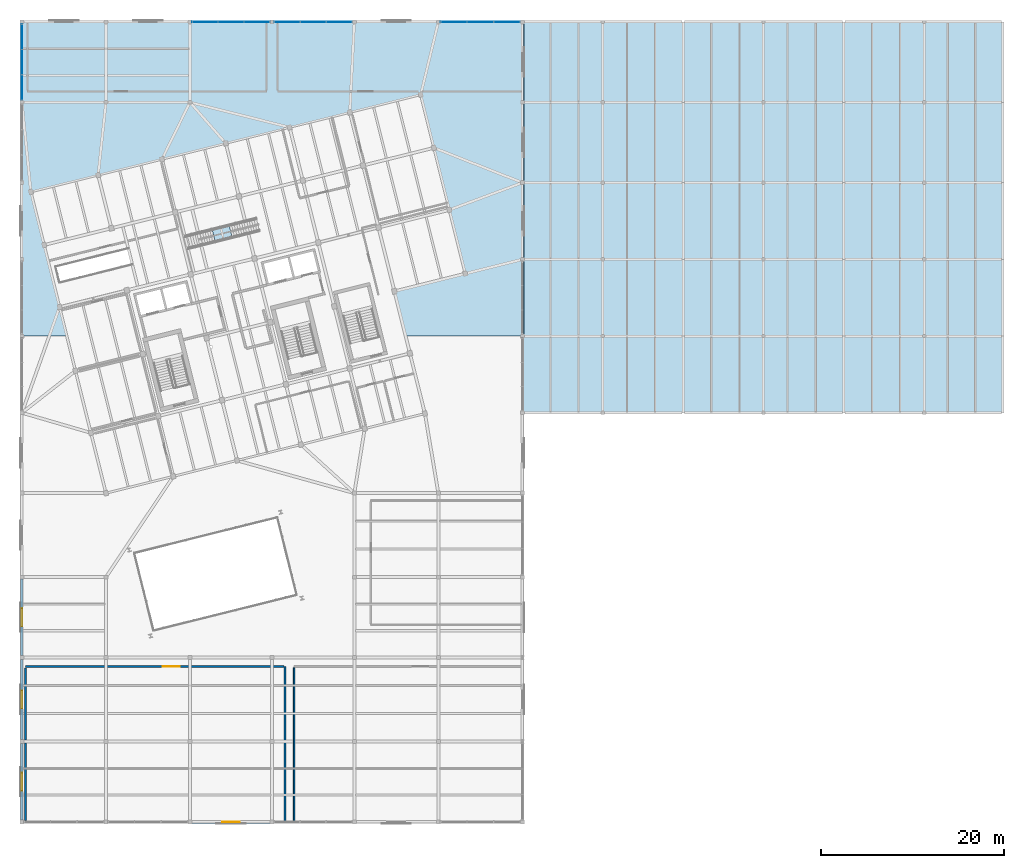
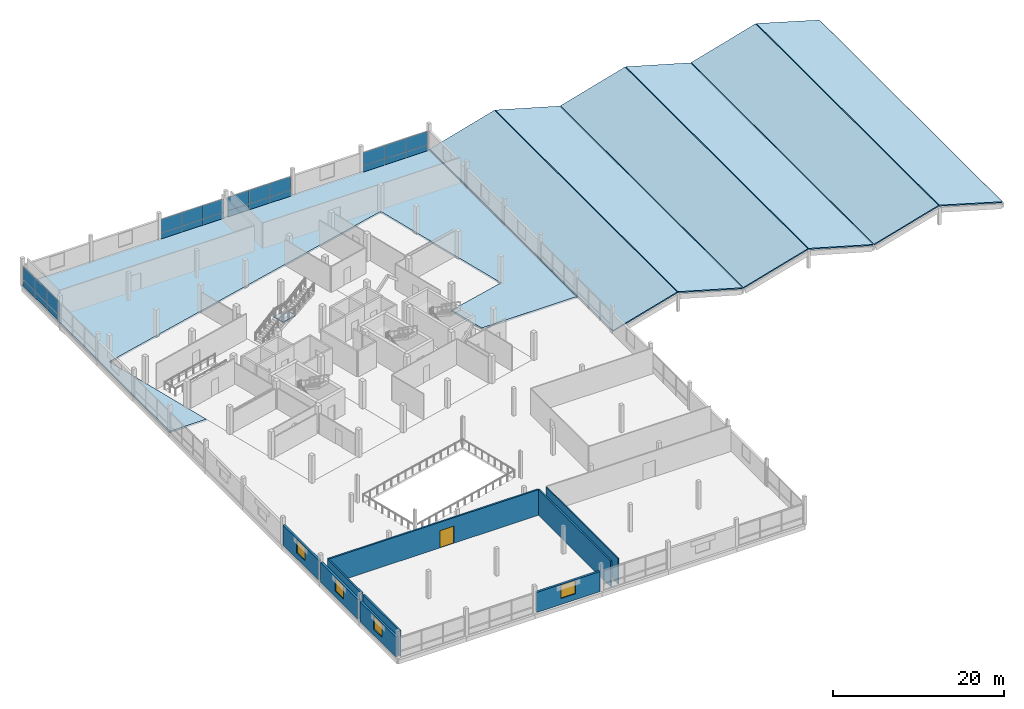
# One storey, part 40 of 47: 24 plates, 9 slabs, 9 walls, 4 windows, 1 door, 5 openings, 11 elements without a shape of their own.
"""IFC4 building model written with IfcOpenShell, lengths in metres."""

import ifcopenshell
import ifcopenshell.guid

model = None  # the IFC model being written
_history = None  # IfcOwnerHistory: only IFC2X3 demands one
_inside = {}  # id of a spatial element -> (the spatial element, [elements in it])
_under = {}  # id of a project, library or spatial element -> (it, [spatial elements below it])
_declared = {}  # id of a project -> (the project, [libraries it declares])
_typed = {}  # id of a type object -> (the type object, [elements of that type])
_made_of = {}  # id of a material, layer set ... -> (it, [elements and type objects made of it])


def new_model(schema):
    """Start an empty IFC model of exactly this schema.

    Asked for "IFC4X3", IfcOpenShell would pick the latest addendum, in which some entities
    have other attributes; the version numbers below select the first issue.
    IFC2X3 requires an IfcOwnerHistory on every rooted entity: one is made here for all.
    """
    global model, _history
    if schema == "IFC4X3":
        model = ifcopenshell.file(schema_version=(4, 3, 0, 0))
    else:
        model = ifcopenshell.file(schema=schema)
    _inside.clear()
    _under.clear()
    _declared.clear()
    _typed.clear()
    _made_of.clear()
    _history = None
    if model.schema == "IFC2X3":
        org = make("IfcOrganization", Name="unknown")
        user = make(
            "IfcPersonAndOrganization",
            ThePerson=make("IfcPerson", FamilyName="unknown"),
            TheOrganization=org,
        )
        app = make(
            "IfcApplication",
            ApplicationDeveloper=org,
            Version="unknown",
            ApplicationFullName="unknown",
            ApplicationIdentifier="unknown",
        )
        _history = make(
            "IfcOwnerHistory",
            OwningUser=user,
            OwningApplication=app,
            ChangeAction="ADDED",
            CreationDate=0,
        )
    return model


def make(cls, **values):
    """One entity of the class cls with the attributes given. An attribute that is None is left unset."""
    return model.create_entity(
        cls, **{name: value for name, value in values.items() if value is not None}
    )


def rooted(cls, **values):
    """An entity with a GlobalId (a new one), such as an element, a storey or a relation."""
    return make(cls, GlobalId=ifcopenshell.guid.new(), OwnerHistory=_history, **values)


def si_unit(unit_type, name, prefix=None):
    """IfcSIUnit, for example si_unit("LENGTHUNIT", "METRE", prefix="MILLI")."""
    return make("IfcSIUnit", UnitType=unit_type, Prefix=prefix, Name=name)


def assignment(units):
    """IfcUnitAssignment: the units of a project."""
    return None if units is None else make("IfcUnitAssignment", Units=units)


def point(xyz):
    """IfcCartesianPoint."""
    return None if xyz is None else make("IfcCartesianPoint", Coordinates=xyz)


def direction(xyz):
    """IfcDirection."""
    return None if xyz is None else make("IfcDirection", DirectionRatios=xyz)


def frame(location, z_axis=None, x_axis=None):
    """IfcAxis2Placement3D, a coordinate frame: its origin and axes. An axis left out is left unset."""
    return make(
        "IfcAxis2Placement3D",
        Location=point(location),
        Axis=direction(z_axis),
        RefDirection=direction(x_axis),
    )


def frame_2d(location, x_axis=None):
    """IfcAxis2Placement2D, a coordinate frame in the plane: its origin and x axis."""
    return make(
        "IfcAxis2Placement2D", Location=point(location), RefDirection=direction(x_axis)
    )


def origin():
    """The frame at (0, 0, 0) with its axes left unset."""
    return frame((0.0, 0.0, 0.0))


def origin_2d():
    """The frame at (0, 0) in the plane with its x axis left unset."""
    return frame_2d((0.0, 0.0))


def place(relative_to, where):
    """IfcLocalPlacement: puts the frame where relative to a parent placement (None: the world)."""
    return make(
        "IfcLocalPlacement", PlacementRelTo=relative_to, RelativePlacement=where
    )


def context(
    kind, dimensions, precision=None, world=None, true_north=None, identifier=None
):
    """IfcGeometricRepresentationContext, for example the 3D "Model" context."""
    return make(
        "IfcGeometricRepresentationContext",
        ContextIdentifier=identifier,
        ContextType=kind,
        CoordinateSpaceDimension=dimensions,
        Precision=precision,
        WorldCoordinateSystem=world,
        TrueNorth=true_north,
    )


def subcontext(parent, identifier, kind, view, scale=None):
    """IfcGeometricRepresentationSubContext, for example "Body" below "Model"."""
    return make(
        "IfcGeometricRepresentationSubContext",
        ContextIdentifier=identifier,
        ContextType=kind,
        ParentContext=parent,
        TargetScale=scale,
        TargetView=view,
    )


def project(units=None, contexts=None):
    """IfcProject with its units and contexts."""
    return rooted(
        "IfcProject",
        Name="project",
        RepresentationContexts=contexts,
        UnitsInContext=assignment(units),
    )


def spatial(cls, under=None, at=None, **own):
    """A site, building, storey or space (cls), placed at a placement, below another one or the project."""
    s = rooted(cls, ObjectPlacement=at, **own)
    if under is not None:
        _under.setdefault(under.id(), (under, []))[1].append(s)
    return s


def polyline(points):
    """IfcPolyline through the points."""
    return make("IfcPolyline", Points=[point(p) for p in points])


def profile(cls, at=None, kind="AREA", **sizes):
    """A parametric profile (cls). Its sizes go by their IFC names, for example OverallWidth=200.0."""
    return make(cls, ProfileType=kind, Position=at, **sizes)


def rectangle(**sizes):
    """IfcRectangleProfileDef."""
    return profile("IfcRectangleProfileDef", **sizes)


def outline(outer, holes=None, kind="AREA"):
    """IfcArbitraryClosedProfileDef: a profile drawn as a closed curve; with holes, ...WithVoids."""
    if holes is None:
        return make("IfcArbitraryClosedProfileDef", ProfileType=kind, OuterCurve=outer)
    return make(
        "IfcArbitraryProfileDefWithVoids",
        ProfileType=kind,
        OuterCurve=outer,
        InnerCurves=holes,
    )


def extrude(swept, where, along, depth):
    """IfcExtrudedAreaSolid: the profile swept, set in the frame where, extruded along a direction by depth."""
    return make(
        "IfcExtrudedAreaSolid",
        SweptArea=swept,
        Position=where,
        ExtrudedDirection=direction(along),
        Depth=depth,
    )


def shape(context_of_items, identifier, shape_type, items):
    """IfcShapeRepresentation: the items that make up one representation, for example the "Body"."""
    return make(
        "IfcShapeRepresentation",
        ContextOfItems=context_of_items,
        RepresentationIdentifier=identifier,
        RepresentationType=shape_type,
        Items=items,
    )


def material(Name=None, Category=None):
    """IfcMaterial."""
    return make("IfcMaterial", Name=Name, Category=Category)


def layer(
    of_material, thickness, ventilated=None, Name=None, Category=None, Priority=None
):
    """IfcMaterialLayer: one layer of a wall or slab, of a material (None: an air gap)."""
    return make(
        "IfcMaterialLayer",
        Material=of_material,
        LayerThickness=thickness,
        IsVentilated=ventilated,
        Name=Name,
        Category=Category,
        Priority=Priority,
    )


def layer_set(layers, Name=None):
    """IfcMaterialLayerSet."""
    return make("IfcMaterialLayerSet", MaterialLayers=layers, LayerSetName=Name)


def made_of(thing, what):
    """Note that an element or type object is made of a material, layer set ...; save() writes the relation."""
    if what is not None:
        _made_of.setdefault(what.id(), (what, []))[1].append(thing)
    return thing


def type_object(cls, material=None, **own):
    """A type object (cls), such as IfcWallType, which elements share."""
    return made_of(rooted(cls, **own), material)


def element(
    cls,
    number,
    at=None,
    inside=None,
    cuts=None,
    type_object=None,
    material=None,
    context=None,
    identifier="Body",
    shape_type=None,
    held_by="IfcProductDefinitionShape",
    body=None,
    shapes=None,
    **own,
):
    """One element of the class cls, such as IfcWall. Its Tag is "e" and its number.

    at: its placement. inside: the storey or other place that contains it. cuts: it is an
    opening in that element (IfcRelVoidsElement). A single representation is given by context,
    identifier, shape_type and body (its items); several are given by shapes. held_by: the class
    of the entity that holds the representations. save() writes the other relations.
    """
    e = rooted(cls, Tag="e%d" % number, ObjectPlacement=at, **own)
    if body is not None:
        shapes = [shape(context, identifier, shape_type, body)]
    if shapes is not None:
        e.Representation = make(held_by, Representations=shapes)
    if inside is not None:
        _inside.setdefault(inside.id(), (inside, []))[1].append(e)
    if cuts is not None:
        rooted(
            "IfcRelVoidsElement", RelatingBuildingElement=cuts, RelatedOpeningElement=e
        )
    if type_object is not None:
        _typed.setdefault(type_object.id(), (type_object, []))[1].append(e)
    return made_of(e, material)


def fill(opening, filler):
    """IfcRelFillsElement: the door or window that sits in an opening."""
    return rooted(
        "IfcRelFillsElement",
        RelatingOpeningElement=opening,
        RelatedBuildingElement=filler,
    )


def aggregate(whole, parts):
    """IfcRelAggregates: a whole, such as a stair, and the parts it consists of."""
    return rooted("IfcRelAggregates", RelatingObject=whole, RelatedObjects=parts)


def save(model, path):
    """Write the relations noted so far, then the file.

    IfcRelAggregates (storeys below a building ...), IfcRelContainedInSpatialStructure (elements
    in a storey), IfcRelDefinesByType, IfcRelAssociatesMaterial and IfcRelDeclares: one each for
    every whole, place, type object, material and project.
    """
    for whole, parts in _under.values():
        aggregate(whole, parts)
    for where, things in _inside.values():
        rooted(
            "IfcRelContainedInSpatialStructure",
            RelatedElements=things,
            RelatingStructure=where,
        )
    for kind, things in _typed.values():
        rooted("IfcRelDefinesByType", RelatedObjects=things, RelatingType=kind)
    for what, things in _made_of.values():
        rooted("IfcRelAssociatesMaterial", RelatedObjects=things, RelatingMaterial=what)
    for by, libraries in _declared.values():
        rooted("IfcRelDeclares", RelatingContext=by, RelatedDefinitions=libraries)
    model.write(path)


model = new_model("IFC4")

# Units and contexts
model_context = context("Model", 3, precision=1e-05, world=origin(), true_north=direction((0.0, 1.0)))
body_context = subcontext(model_context, "Body", "Model", "MODEL_VIEW")
ifc_project = project(units=[si_unit("LENGTHUNIT", "METRE"), si_unit("AREAUNIT", "SQUARE_METRE"), si_unit("VOLUMEUNIT", "CUBIC_METRE"), si_unit("PLANEANGLEUNIT", "RADIAN"), si_unit("MASSUNIT", "GRAM", prefix="KILO")], contexts=[model_context])

# Site, building, storey
site_placement = place(None, origin())
site = spatial("IfcSite", under=ifc_project, at=site_placement, CompositionType="ELEMENT")
building_placement = place(site_placement, origin())
building = spatial("IfcBuilding", under=site, at=building_placement, Name="Meriwether Solvik Hall", CompositionType="ELEMENT")
storey_placement = place(building_placement, frame((0.0, 0.0, 18.300048828125)))
storey = spatial("IfcBuildingStorey", under=building, at=storey_placement, Name="L04", CompositionType="ELEMENT", Elevation=18.300048828125)

# Curtain wall, plates
ifc_material_1 = material(Name="Thermally Broken Anodised Aluminium 6063-T6 and Low-E Glass", Category="aluminium")
ifc_layer_1 = layer(ifc_material_1, 0.179931640625)
ifc_layer_set_1 = layer_set([ifc_layer_1], Name="Thermally Broken Anodised Aluminium 6063-T6 and Low-E Glass")
curtain_wall_type = type_object("IfcCurtainWallType", Name="CW-UNIT-E", PredefinedType="USERDEFINED", material=ifc_layer_set_1)
curtain_wall_1_placement = place(storey_placement, origin())
curtain_wall_1 = element("IfcCurtainWall", 1, at=curtain_wall_1_placement, inside=storey, type_object=curtain_wall_type, Name="Curtain Wall wing_XK_9_8 (L04)", ObjectType="UNITISED CURTAIN WALL", PredefinedType="USERDEFINED")
ifc_material_2 = material(Name="Low-Emissivity Double-Glazed Laminated Glass", Category="glass")
ifc_layer_2 = layer(ifc_material_2, 0.031982421875)
ifc_layer_set_2 = layer_set([ifc_layer_2], Name="Low-Emissivity Double-Glazed Laminated Glass")
plate_type_1 = type_object("IfcPlateType", Name="PLT-GLZ-225X195", PredefinedType="CURTAIN_PANEL", material=ifc_layer_set_2)
plate_1_placement = place(storey_placement, frame((79.467041015625, 92.800048828125, 0.8564453125), z_axis=(0.0, 0.0, 1.0), x_axis=(1.0, 0.0, 0.0)))
plate_1 = element("IfcPlate", 2, at=plate_1_placement, type_object=plate_type_1, Name="Low-E Vision Glazing Panel 1", PredefinedType="CURTAIN_PANEL", context=body_context, shape_type="SweptSolid", body=[
    extrude(rectangle(XDim=2.805908203125, YDim=0.033935546875, at=origin_2d()), origin(), (0.0, 0.0, 1.0), 1.9384765625),
])
plate_2_placement = place(storey_placement, frame((82.300048828125, 92.800048828125, 0.8564453125), z_axis=(0.0, 0.0, 1.0), x_axis=(1.0, 0.0, 0.0)))
plate_2 = element("IfcPlate", 3, at=plate_2_placement, type_object=plate_type_1, Name="Low-E Vision Glazing Panel 2", PredefinedType="CURTAIN_PANEL", context=body_context, shape_type="SweptSolid", body=[
    extrude(rectangle(XDim=2.843994140625, YDim=0.033935546875, at=origin_2d()), origin(), (0.0, 0.0, 1.0), 1.9384765625),
])
plate_3_placement = place(storey_placement, frame((85.133056640625, 92.800048828125, 0.8564453125), z_axis=(0.0, 0.0, 1.0), x_axis=(1.0, 0.0, 0.0)))
plate_3 = element("IfcPlate", 4, at=plate_3_placement, type_object=plate_type_1, Name="Low-E Vision Glazing Panel 3", PredefinedType="CURTAIN_PANEL", context=body_context, shape_type="SweptSolid", body=[
    extrude(rectangle(XDim=2.805908203125, YDim=0.033935546875, at=origin_2d()), origin(), (0.0, 0.0, 1.0), 1.9384765625),
])

curtain_wall_2_placement = place(storey_placement, origin())
curtain_wall_2 = element("IfcCurtainWall", 5, at=curtain_wall_2_placement, inside=storey, type_object=curtain_wall_type, Name="Curtain Wall wing_XK_10_9 (L04)", ObjectType="UNITISED CURTAIN WALL", PredefinedType="USERDEFINED")
plate_4_placement = place(storey_placement, frame((88.467041015625, 92.800048828125, 0.8564453125), z_axis=(0.0, 0.0, 1.0), x_axis=(1.0, 0.0, 0.0)))
plate_4 = element("IfcPlate", 6, at=plate_4_placement, type_object=plate_type_1, Name="Low-E Vision Glazing Panel 1", PredefinedType="CURTAIN_PANEL", context=body_context, shape_type="SweptSolid", body=[
    extrude(rectangle(XDim=2.805908203125, YDim=0.033935546875, at=origin_2d()), origin(), (0.0, 0.0, 1.0), 1.9384765625),
])
plate_5_placement = place(storey_placement, frame((91.300048828125, 92.800048828125, 0.8564453125), z_axis=(0.0, 0.0, 1.0), x_axis=(1.0, 0.0, 0.0)))
plate_5 = element("IfcPlate", 7, at=plate_5_placement, type_object=plate_type_1, Name="Low-E Vision Glazing Panel 2", PredefinedType="CURTAIN_PANEL", context=body_context, shape_type="SweptSolid", body=[
    extrude(rectangle(XDim=2.843994140625, YDim=0.033935546875, at=origin_2d()), origin(), (0.0, 0.0, 1.0), 1.9384765625),
])
plate_6_placement = place(storey_placement, frame((94.133056640625, 92.800048828125, 0.8564453125), z_axis=(0.0, 0.0, 1.0), x_axis=(1.0, 0.0, 0.0)))
plate_6 = element("IfcPlate", 8, at=plate_6_placement, type_object=plate_type_1, Name="Low-E Vision Glazing Panel 3", PredefinedType="CURTAIN_PANEL", context=body_context, shape_type="SweptSolid", body=[
    extrude(rectangle(XDim=2.805908203125, YDim=0.033935546875, at=origin_2d()), origin(), (0.0, 0.0, 1.0), 1.9384765625),
])

curtain_wall_3_placement = place(storey_placement, origin())
curtain_wall_3 = element("IfcCurtainWall", 9, at=curtain_wall_3_placement, inside=storey, type_object=curtain_wall_type, Name="Curtain Wall wing_XK_12_11 (L04)", ObjectType="UNITISED CURTAIN WALL", PredefinedType="USERDEFINED")
plate_7_placement = place(storey_placement, frame((106.700439453125, 92.800048828125, 0.8564453125), z_axis=(0.0, 0.0, 1.0), x_axis=(1.0, 0.0, 0.0)))
plate_7 = element("IfcPlate", 10, at=plate_7_placement, type_object=plate_type_1, Name="Low-E Vision Glazing Panel 1", PredefinedType="CURTAIN_PANEL", context=body_context, shape_type="SweptSolid", body=[
    extrude(rectangle(XDim=2.872802734375, YDim=0.033935546875, at=origin_2d()), origin(), (0.0, 0.0, 1.0), 1.9384765625),
])
plate_8_placement = place(storey_placement, frame((109.60009765625, 92.800048828125, 0.8564453125), z_axis=(0.0, 0.0, 1.0), x_axis=(1.0, 0.0, 0.0)))
plate_8 = element("IfcPlate", 11, at=plate_8_placement, type_object=plate_type_1, Name="Low-E Vision Glazing Panel 2", PredefinedType="CURTAIN_PANEL", context=body_context, shape_type="SweptSolid", body=[
    extrude(rectangle(XDim=2.91064453125, YDim=0.033935546875, at=origin_2d()), origin(), (0.0, 0.0, 1.0), 1.9384765625),
])
plate_9_placement = place(storey_placement, frame((112.499755859375, 92.800048828125, 0.8564453125), z_axis=(0.0, 0.0, 1.0), x_axis=(1.0, 0.0, 0.0)))
plate_9 = element("IfcPlate", 12, at=plate_9_placement, type_object=plate_type_1, Name="Low-E Vision Glazing Panel 3", PredefinedType="CURTAIN_PANEL", context=body_context, shape_type="SweptSolid", body=[
    extrude(rectangle(XDim=2.872802734375, YDim=0.033935546875, at=origin_2d()), origin(), (0.0, 0.0, 1.0), 1.9384765625),
])

curtain_wall_4_placement = place(storey_placement, origin())
curtain_wall_4 = element("IfcCurtainWall", 13, at=curtain_wall_4_placement, inside=storey, type_object=curtain_wall_type, Name="Curtain Wall wing_Y7_10_21 (L04)", ObjectType="UNITISED CURTAIN WALL", PredefinedType="USERDEFINED")
plate_10_placement = place(storey_placement, frame((59.39990234375, 85.6337890625, 0.8564453125), z_axis=(0.0, 0.0, 1.0), x_axis=(0.0, 1.0, 0.0)))
plate_10 = element("IfcPlate", 14, at=plate_10_placement, type_object=plate_type_1, Name="Low-E Vision Glazing Panel 1", PredefinedType="CURTAIN_PANEL", context=body_context, shape_type="SweptSolid", body=[
    extrude(rectangle(XDim=2.7392578125, YDim=0.033935546875, at=origin_2d()), origin(), (0.0, 0.0, 1.0), 1.9384765625),
])
plate_11_placement = place(storey_placement, frame((59.39990234375, 88.39990234375, 0.8564453125), z_axis=(0.0, 0.0, 1.0), x_axis=(0.0, 1.0, 0.0)))
plate_11 = element("IfcPlate", 15, at=plate_11_placement, type_object=plate_type_1, Name="Low-E Vision Glazing Panel 2", PredefinedType="CURTAIN_PANEL", context=body_context, shape_type="SweptSolid", body=[
    extrude(rectangle(XDim=2.77734375, YDim=0.033935546875, at=origin_2d()), origin(), (0.0, 0.0, 1.0), 1.9384765625),
])
plate_12_placement = place(storey_placement, frame((59.39990234375, 91.166259765625, 0.8564453125), z_axis=(0.0, 0.0, 1.0), x_axis=(0.0, 1.0, 0.0)))
plate_12 = element("IfcPlate", 16, at=plate_12_placement, type_object=plate_type_1, Name="Low-E Vision Glazing Panel 3", PredefinedType="CURTAIN_PANEL", context=body_context, shape_type="SweptSolid", body=[
    extrude(rectangle(XDim=2.7392578125, YDim=0.033935546875, at=origin_2d()), origin(), (0.0, 0.0, 1.0), 1.9384765625),
])

# Plate
ifc_material_3 = material(Name="Mineral-Wool Insulated Anodised Aluminium 6063-T6", Category="aluminium")
ifc_layer_3 = layer(ifc_material_3, 0.044921875)
ifc_layer_set_3 = layer_set([ifc_layer_3], Name="Mineral-Wool Insulated Anodised Aluminium 6063-T6")
plate_type_2 = type_object("IfcPlateType", Name="PLT-SPN-225X085", PredefinedType="CURTAIN_PANEL", material=ifc_layer_set_3)
plate_13_placement = place(storey_placement, frame((79.467041015625, 92.800048828125, 0.0), z_axis=(0.0, 0.0, 1.0), x_axis=(1.0, 0.0, 0.0)))
plate_13 = element("IfcPlate", 17, at=plate_13_placement, type_object=plate_type_2, Name="Insulated Spandrel Panel 1", PredefinedType="CURTAIN_PANEL", context=body_context, shape_type="SweptSolid", body=[
    extrude(rectangle(XDim=2.805908203125, YDim=0.044921875, at=origin_2d()), origin(), (0.0, 0.0, 1.0), 0.8564453125),
])

plate_14_placement = place(storey_placement, frame((82.300048828125, 92.800048828125, 0.0), z_axis=(0.0, 0.0, 1.0), x_axis=(1.0, 0.0, 0.0)))
plate_14 = element("IfcPlate", 18, at=plate_14_placement, type_object=plate_type_2, Name="Insulated Spandrel Panel 2", PredefinedType="CURTAIN_PANEL", context=body_context, shape_type="SweptSolid", body=[
    extrude(rectangle(XDim=2.843994140625, YDim=0.044921875, at=origin_2d()), origin(), (0.0, 0.0, 1.0), 0.8564453125),
])

plate_15_placement = place(storey_placement, frame((85.133056640625, 92.800048828125, 0.0), z_axis=(0.0, 0.0, 1.0), x_axis=(1.0, 0.0, 0.0)))
plate_15 = element("IfcPlate", 19, at=plate_15_placement, type_object=plate_type_2, Name="Insulated Spandrel Panel 3", PredefinedType="CURTAIN_PANEL", context=body_context, shape_type="SweptSolid", body=[
    extrude(rectangle(XDim=2.805908203125, YDim=0.044921875, at=origin_2d()), origin(), (0.0, 0.0, 1.0), 0.8564453125),
])

aggregate(curtain_wall_1, [plate_13, plate_1, plate_14, plate_2, plate_15, plate_3])

plate_16_placement = place(storey_placement, frame((88.467041015625, 92.800048828125, 0.0), z_axis=(0.0, 0.0, 1.0), x_axis=(1.0, 0.0, 0.0)))
plate_16 = element("IfcPlate", 20, at=plate_16_placement, type_object=plate_type_2, Name="Insulated Spandrel Panel 1", PredefinedType="CURTAIN_PANEL", context=body_context, shape_type="SweptSolid", body=[
    extrude(rectangle(XDim=2.805908203125, YDim=0.044921875, at=origin_2d()), origin(), (0.0, 0.0, 1.0), 0.8564453125),
])

plate_17_placement = place(storey_placement, frame((91.300048828125, 92.800048828125, 0.0), z_axis=(0.0, 0.0, 1.0), x_axis=(1.0, 0.0, 0.0)))
plate_17 = element("IfcPlate", 21, at=plate_17_placement, type_object=plate_type_2, Name="Insulated Spandrel Panel 2", PredefinedType="CURTAIN_PANEL", context=body_context, shape_type="SweptSolid", body=[
    extrude(rectangle(XDim=2.843994140625, YDim=0.044921875, at=origin_2d()), origin(), (0.0, 0.0, 1.0), 0.8564453125),
])

plate_18_placement = place(storey_placement, frame((94.133056640625, 92.800048828125, 0.0), z_axis=(0.0, 0.0, 1.0), x_axis=(1.0, 0.0, 0.0)))
plate_18 = element("IfcPlate", 22, at=plate_18_placement, type_object=plate_type_2, Name="Insulated Spandrel Panel 3", PredefinedType="CURTAIN_PANEL", context=body_context, shape_type="SweptSolid", body=[
    extrude(rectangle(XDim=2.805908203125, YDim=0.044921875, at=origin_2d()), origin(), (0.0, 0.0, 1.0), 0.8564453125),
])

aggregate(curtain_wall_2, [plate_16, plate_4, plate_17, plate_5, plate_18, plate_6])

plate_19_placement = place(storey_placement, frame((106.700439453125, 92.800048828125, 0.0), z_axis=(0.0, 0.0, 1.0), x_axis=(1.0, 0.0, 0.0)))
plate_19 = element("IfcPlate", 23, at=plate_19_placement, type_object=plate_type_2, Name="Insulated Spandrel Panel 1", PredefinedType="CURTAIN_PANEL", context=body_context, shape_type="SweptSolid", body=[
    extrude(rectangle(XDim=2.872802734375, YDim=0.044921875, at=origin_2d()), origin(), (0.0, 0.0, 1.0), 0.8564453125),
])

plate_20_placement = place(storey_placement, frame((109.60009765625, 92.800048828125, 0.0), z_axis=(0.0, 0.0, 1.0), x_axis=(1.0, 0.0, 0.0)))
plate_20 = element("IfcPlate", 24, at=plate_20_placement, type_object=plate_type_2, Name="Insulated Spandrel Panel 2", PredefinedType="CURTAIN_PANEL", context=body_context, shape_type="SweptSolid", body=[
    extrude(rectangle(XDim=2.91064453125, YDim=0.044921875, at=origin_2d()), origin(), (0.0, 0.0, 1.0), 0.8564453125),
])

plate_21_placement = place(storey_placement, frame((112.499755859375, 92.800048828125, 0.0), z_axis=(0.0, 0.0, 1.0), x_axis=(1.0, 0.0, 0.0)))
plate_21 = element("IfcPlate", 25, at=plate_21_placement, type_object=plate_type_2, Name="Insulated Spandrel Panel 3", PredefinedType="CURTAIN_PANEL", context=body_context, shape_type="SweptSolid", body=[
    extrude(rectangle(XDim=2.872802734375, YDim=0.044921875, at=origin_2d()), origin(), (0.0, 0.0, 1.0), 0.8564453125),
])

aggregate(curtain_wall_3, [plate_19, plate_7, plate_20, plate_8, plate_21, plate_9])

plate_22_placement = place(storey_placement, frame((59.39990234375, 85.6337890625, 0.0), z_axis=(0.0, 0.0, 1.0), x_axis=(0.0, 1.0, 0.0)))
plate_22 = element("IfcPlate", 26, at=plate_22_placement, type_object=plate_type_2, Name="Insulated Spandrel Panel 1", PredefinedType="CURTAIN_PANEL", context=body_context, shape_type="SweptSolid", body=[
    extrude(rectangle(XDim=2.7392578125, YDim=0.044921875, at=origin_2d()), origin(), (0.0, 0.0, 1.0), 0.8564453125),
])

plate_23_placement = place(storey_placement, frame((59.39990234375, 88.39990234375, 0.0), z_axis=(0.0, 0.0, 1.0), x_axis=(0.0, 1.0, 0.0)))
plate_23 = element("IfcPlate", 27, at=plate_23_placement, type_object=plate_type_2, Name="Insulated Spandrel Panel 2", PredefinedType="CURTAIN_PANEL", context=body_context, shape_type="SweptSolid", body=[
    extrude(rectangle(XDim=2.77734375, YDim=0.044921875, at=origin_2d()), origin(), (0.0, 0.0, 1.0), 0.8564453125),
])

plate_24_placement = place(storey_placement, frame((59.39990234375, 91.166259765625, 0.0), z_axis=(0.0, 0.0, 1.0), x_axis=(0.0, 1.0, 0.0)))
plate_24 = element("IfcPlate", 28, at=plate_24_placement, type_object=plate_type_2, Name="Insulated Spandrel Panel 3", PredefinedType="CURTAIN_PANEL", context=body_context, shape_type="SweptSolid", body=[
    extrude(rectangle(XDim=2.7392578125, YDim=0.044921875, at=origin_2d()), origin(), (0.0, 0.0, 1.0), 0.8564453125),
])

aggregate(curtain_wall_4, [plate_22, plate_10, plate_23, plate_11, plate_24, plate_12])

# Slabs
ifc_material_4 = material(Name="Cross-Laminated Timber PRG 320 E1", Category="wood")
ifc_layer_4 = layer(ifc_material_4, 0.2451171875)
ifc_layer_set_4 = layer_set([ifc_layer_4], Name="Cross-Laminated Timber PRG 320 E1")
slab_type_1 = type_object("IfcSlabType", Name="SLB-CLT-245", PredefinedType="FLOOR", material=ifc_layer_set_4)
slab_1_placement = place(storey_placement, frame((0.0, 0.0, -0.2451171875)))
element("IfcSlab", 29, at=slab_1_placement, inside=storey, type_object=slab_type_1, Name="L04 Structural Slab Zone 4", PredefinedType="FLOOR", context=body_context, shape_type="SweptSolid", body=[
    extrude(outline(polyline([(101.413818359375, 58.403076171875), (100.193359375, 63.298583984375), (107.955810546875, 65.23388671875), (103.068359375, 84.8359375), (60.37353515625, 74.190673828125), (64.309814453125, 58.403076171875), (59.403076171875, 58.403076171875), (59.403076171875, 92.9599609375), (114.197021484375, 92.9599609375), (114.197021484375, 58.403076171875), (101.413818359375, 58.403076171875)])), origin(), (0.0, 0.0, 1.0), 0.2451171875),
])
slab_2_placement = place(storey_placement, frame((0.0, 0.0, -0.2451171875)))
element("IfcSlab", 30, at=slab_2_placement, inside=storey, type_object=slab_type_1, Name="L04 Structural Slab Zone 6", PredefinedType="FLOOR", context=body_context, shape_type="SweptSolid", body=[
    extrude(outline(polyline([(114.202880859375, 92.9599609375), (114.360107421875, 92.9599609375), (114.360107421875, 58.403076171875), (114.202880859375, 58.403076171875), (114.202880859375, 92.9599609375)])), origin(), (0.0, 0.0, 1.0), 0.2451171875),
])

# Stair, slab
ifc_material_5 = material(Name="Glulam Douglas-Fir 24F-V8 GL28h", Category="wood")
stair_type = type_object("IfcStairType", Name="STR-OPEN-EDU", PredefinedType="TWO_STRAIGHT_RUN_STAIR", material=ifc_material_5)
stair_placement = place(storey_placement, origin())
stair = element("IfcStair", 31, at=stair_placement, inside=storey, type_object=stair_type, Name="Architectural Stair ST-ED2 (L04-L05)", PredefinedType="TWO_STRAIGHT_RUN_STAIR")
ifc_material_6 = material(Name="Cross-Laminated Timber PRG 320 E1", Category="wood")
ifc_layer_5 = layer(ifc_material_6, 0.175048828125)
ifc_layer_set_5 = layer_set([ifc_layer_5], Name="Cross-Laminated Timber PRG 320 E1")
slab_type_2 = type_object("IfcSlabType", Name="SLB-LND-175", PredefinedType="LANDING", material=ifc_layer_set_5)
slab_3_placement = place(storey_placement, frame((0.0, 0.0, 1.77490234375)))
slab_3 = element("IfcSlab", 32, at=slab_3_placement, type_object=slab_type_2, Name="Stair ST-ED2 Intermediate Landing", PredefinedType="LANDING", context=body_context, shape_type="SweptSolid", body=[
    extrude(outline(polyline([(80.579833984375, 68.63818359375), (82.45849609375, 69.106689453125), (82.08349609375, 70.610595703125), (80.205078125, 70.14208984375), (80.579833984375, 68.63818359375)])), origin(), (0.0, 0.0, 1.0), 0.175048828125),
])
aggregate(stair, [slab_3])

# Roof, slab
ifc_material_7 = material(Name="Cross-Laminated Timber PRG 320 E1", Category="wood")
ifc_layer_6 = layer(ifc_material_7, 0.2451171875)
ifc_layer_set_6 = layer_set([ifc_layer_6], Name="Cross-Laminated Timber PRG 320 E1")
roof_type = type_object("IfcRoofType", Name="ROOF-GABLE-CLT", PredefinedType="GABLE_ROOF", material=ifc_layer_set_6)
roof_1_placement = place(storey_placement, origin())
roof_1 = element("IfcRoof", 33, at=roof_1_placement, inside=storey, type_object=roof_type, Name="Pitched Mass-Timber Roof w3_fold_1w (L04)", PredefinedType="GABLE_ROOF")
ifc_material_8 = material(Name="Cross-Laminated Timber PRG 320 E1", Category="wood")
ifc_layer_7 = layer(ifc_material_8, 0.159912109375)
ifc_layer_set_7 = layer_set([ifc_layer_7], Name="Cross-Laminated Timber PRG 320 E1")
slab_type_3 = type_object("IfcSlabType", Name="SLB-ROOF-160", PredefinedType="ROOF", material=ifc_layer_set_7)
slab_4_placement = place(storey_placement, frame((114.2548828125, 50.054931640625, 0.175048828125), z_axis=(-0.274421397659, 0.0, 0.961609534326), x_axis=(0.961609534326, 0.0, 0.274421397659)))
slab_4 = element("IfcSlab", 34, at=slab_4_placement, type_object=slab_type_3, Name="Sloped CLT Roof Deck w3_fold_1w (L04)", PredefinedType="ROOF", context=body_context, shape_type="SweptSolid", body=[
    extrude(outline(polyline([(0.0, 0.0), (9.037124983339371, 0.0), (9.037124983339371, 42.69018554687499), (0.0, 42.69018554687499), (0.0, 0.0)])), origin(), (0.0, 0.0, -1.0), 0.159912109375),
])
aggregate(roof_1, [slab_4])

roof_2_placement = place(storey_placement, origin())
roof_2 = element("IfcRoof", 35, at=roof_2_placement, inside=storey, type_object=roof_type, Name="Pitched Mass-Timber Roof w3_fold_1e (L04)", PredefinedType="GABLE_ROOF")
slab_5_placement = place(storey_placement, frame((123.054931640625, 50.054931640625, 2.655029296875), z_axis=(0.274421397659, 0.0, 0.961609534326), x_axis=(0.961609534326, 0.0, -0.274421397659)))
slab_5 = element("IfcSlab", 36, at=slab_5_placement, type_object=slab_type_3, Name="Sloped CLT Roof Deck w3_fold_1e (L04)", PredefinedType="ROOF", context=body_context, shape_type="SweptSolid", body=[
    extrude(outline(polyline([(0.0, 0.0), (9.037124983339371, 0.0), (9.037124983339371, 42.69018554687499), (0.0, 42.69018554687499), (0.0, 0.0)])), origin(), (0.0, 0.0, -1.0), 0.159912109375),
])
aggregate(roof_2, [slab_5])

roof_3_placement = place(storey_placement, origin())
roof_3 = element("IfcRoof", 37, at=roof_3_placement, inside=storey, type_object=roof_type, Name="Pitched Mass-Timber Roof w3_fold_2w (L04)", PredefinedType="GABLE_ROOF")
slab_6_placement = place(storey_placement, frame((131.85498046875, 50.054931640625, 0.175048828125), z_axis=(-0.274428526802, 0.0, 0.961607499803), x_axis=(0.961607499803, 0.0, 0.274428526802)))
slab_6 = element("IfcSlab", 38, at=slab_6_placement, type_object=slab_type_3, Name="Sloped CLT Roof Deck w3_fold_2w (L04)", PredefinedType="ROOF", context=body_context, shape_type="SweptSolid", body=[
    extrude(outline(polyline([(0.0, 0.0), (9.036890215635006, 0.0), (9.036890215635006, 42.690185546875), (0.0, 42.690185546875), (0.0, 0.0)])), origin(), (0.0, 0.0, -1.0), 0.159912109375),
])
aggregate(roof_3, [slab_6])

roof_4_placement = place(storey_placement, origin())
roof_4 = element("IfcRoof", 39, at=roof_4_placement, inside=storey, type_object=roof_type, Name="Pitched Mass-Timber Roof w3_fold_2e (L04)", PredefinedType="GABLE_ROOF")
slab_7_placement = place(storey_placement, frame((140.655029296875, 50.054931640625, 2.655029296875), z_axis=(0.274428526802, 0.0, 0.961607499803), x_axis=(0.961607499803, 0.0, -0.274428526802)))
slab_7 = element("IfcSlab", 40, at=slab_7_placement, type_object=slab_type_3, Name="Sloped CLT Roof Deck w3_fold_2e (L04)", PredefinedType="ROOF", context=body_context, shape_type="SweptSolid", body=[
    extrude(outline(polyline([(0.0, 0.0), (9.036890215635006, 0.0), (9.036890215635006, 42.690185546875), (0.0, 42.690185546875), (0.0, 0.0)])), origin(), (0.0, 0.0, -1.0), 0.159912109375),
])
aggregate(roof_4, [slab_7])

roof_5_placement = place(storey_placement, origin())
roof_5 = element("IfcRoof", 41, at=roof_5_placement, inside=storey, type_object=roof_type, Name="Pitched Mass-Timber Roof w3_fold_3w (L04)", PredefinedType="GABLE_ROOF")
slab_8_placement = place(storey_placement, frame((149.455078125, 50.054931640625, 0.175048828125), z_axis=(-0.274428526802, 0.0, 0.961607499803), x_axis=(0.961607499803, 0.0, 0.274428526802)))
slab_8 = element("IfcSlab", 42, at=slab_8_placement, type_object=slab_type_3, Name="Sloped CLT Roof Deck w3_fold_3w (L04)", PredefinedType="ROOF", context=body_context, shape_type="SweptSolid", body=[
    extrude(outline(polyline([(0.0, 0.0), (9.036890215635006, 0.0), (9.036890215635006, 42.690185546875), (0.0, 42.690185546875), (0.0, 0.0)])), origin(), (0.0, 0.0, -1.0), 0.159912109375),
])
aggregate(roof_5, [slab_8])

roof_6_placement = place(storey_placement, origin())
roof_6 = element("IfcRoof", 43, at=roof_6_placement, inside=storey, type_object=roof_type, Name="Pitched Mass-Timber Roof w3_fold_3e (L04)", PredefinedType="GABLE_ROOF")
slab_9_placement = place(storey_placement, frame((158.2548828125, 50.054931640625, 2.655029296875), z_axis=(0.280381548519, 0.0, 0.959888632733), x_axis=(0.959888632733, 0.0, -0.280381548519)))
slab_9 = element("IfcSlab", 44, at=slab_9_placement, type_object=slab_type_3, Name="Sloped CLT Roof Deck w3_fold_3e (L04)", PredefinedType="ROOF", context=body_context, shape_type="SweptSolid", body=[
    extrude(outline(polyline([(0.0, 0.0), (8.845020229926732, 0.0), (8.845020229926732, 42.69018554687501), (0.0, 42.69018554687501), (0.0, 0.0)])), origin(), (0.0, 0.0, -1.0), 0.159912109375),
])
aggregate(roof_6, [slab_9])

# Wall
ifc_material_9 = material(Name="Acoustic Mineral-Wool Double Gypsum Board", Category="gypsum")
ifc_layer_8 = layer(ifc_material_9, 0.219970703125)
ifc_layer_set_8 = layer_set([ifc_layer_8], Name="Acoustic Mineral-Wool Double Gypsum Board")
wall_type_1 = type_object("IfcWallType", Name="WALL-ACST-220", PredefinedType="PARTITIONING", material=ifc_layer_set_8)
wall_1_placement = place(storey_placement, frame((88.199951171875, 5.300048828125, 0.0), z_axis=(0.0, 0.0, 1.0), x_axis=(0.0, 1.0, 0.0)))
element("IfcWall", 45, at=wall_1_placement, inside=storey, type_object=wall_type_1, Name="L04 Interior Partition lec_401_e", PredefinedType="PARTITIONING", context=body_context, shape_type="SweptSolid", body=[
    extrude(rectangle(XDim=16.89990234375, YDim=0.219970703125, at=frame_2d((8.449951171875, 0.0))), origin(), (0.0, 0.0, 1.0), 3.655029296875),
])

# Wall, opening, door
wall_2_placement = place(storey_placement, frame((88.080078125, 22.199951171875, 0.0), z_axis=(0.0, 0.0, 1.0), x_axis=(-1.0, 0.0, 0.0)))
wall_2 = element("IfcWall", 46, at=wall_2_placement, inside=storey, type_object=wall_type_1, Name="L04 Interior Partition lec_401_n", PredefinedType="PARTITIONING", context=body_context, shape_type="SweptSolid", body=[
    extrude(rectangle(XDim=28.280029296875, YDim=0.219970703125, at=frame_2d((14.14013671875, 0.0))), origin(), (0.0, 0.0, 1.0), 3.655029296875),
])
opening_1_placement = place(wall_2_placement, frame((11.37841796875, 0.0, 0.0)))
opening_1 = element("IfcOpeningElement", 47, at=opening_1_placement, cuts=wall_2, Name="Opening D-156", PredefinedType="OPENING", context=body_context, shape_type="SweptSolid", body=[
    extrude(rectangle(XDim=1.89990234375, YDim=2.449951171875, at=frame_2d((0.949951171875, 1.22509765625))), frame((0.0, 0.1220703125, 0.0), z_axis=(0.0, -1.0, 0.0), x_axis=(1.0, 0.0, 0.0)), (0.0, 0.0, 1.0), 0.243896484375),
])
ifc_material_10 = material(Name="Solid-Core Rift White Oak Timber", Category="wood")
door_type = type_object("IfcDoorType", Name="DR-HALL-1900", OperationType="DOUBLE_DOOR_SINGLE_SWING", PredefinedType="DOOR", material=ifc_material_10)
door_placement = place(opening_1_placement, origin())
door = element("IfcDoor", 48, at=door_placement, inside=storey, type_object=door_type, Name="Continuing Education Research Workplace Door", OperationType="DOUBLE_DOOR_SINGLE_SWING", OverallHeight=2.449951171875, OverallWidth=1.89990234375, PredefinedType="DOOR", context=body_context, shape_type="SweptSolid", body=[
    extrude(rectangle(XDim=1.89990234375, YDim=2.449951171875, at=frame_2d((0.949951171875, 1.22509765625))), frame((0.0, 0.02490234375, 0.0), z_axis=(0.0, -1.0, 0.0), x_axis=(1.0, 0.0, 0.0)), (0.0, 0.0, 1.0), 0.050048828125),
])
fill(opening_1, door)

# Walls
wall_3_placement = place(storey_placement, frame((59.800048828125, 22.080078125, 0.0), z_axis=(0.0, 0.0, 1.0), x_axis=(0.0, -1.0, 0.0)))
element("IfcWall", 49, at=wall_3_placement, inside=storey, type_object=wall_type_1, Name="L04 Interior Partition lec_401_w", PredefinedType="PARTITIONING", context=body_context, shape_type="SweptSolid", body=[
    extrude(rectangle(XDim=7.8994140625, YDim=0.219970703125, at=frame_2d((3.94970703125, 0.0))), origin(), (0.0, 0.0, 1.0), 3.655029296875),
])
wall_4_placement = place(storey_placement, frame((59.800048828125, 13.8193359375, 0.0), z_axis=(0.0, 0.0, 1.0), x_axis=(0.0, -1.0, 0.0)))
element("IfcWall", 50, at=wall_4_placement, inside=storey, type_object=wall_type_1, Name="L04 Interior Partition lec_401_w_s2", PredefinedType="PARTITIONING", context=body_context, shape_type="SweptSolid", body=[
    extrude(rectangle(XDim=8.438720703125, YDim=0.219970703125, at=frame_2d((4.21923828125, 0.0))), origin(), (0.0, 0.0, 1.0), 3.655029296875),
])

# Wall, opening, window
ifc_material_11 = material(Name="Cross-Laminated Timber and Mineral-Wool Insulation", Category="wood")
ifc_layer_9 = layer(ifc_material_11, 0.2900390625)
ifc_layer_set_9 = layer_set([ifc_layer_9], Name="Cross-Laminated Timber and Mineral-Wool Insulation")
wall_type_2 = type_object("IfcWallType", Name="WALL-EXT-290", PredefinedType="SOLIDWALL", material=ifc_layer_set_9)
wall_5_placement = place(storey_placement, frame((86.577880859375, 5.199951171875, 0.0), z_axis=(0.0, 0.0, 1.0), x_axis=(-1.0, 0.0, 0.0)))
wall_5 = element("IfcWall", 51, at=wall_5_placement, inside=storey, type_object=wall_type_2, Name="L04 S Wing Facade Wall XA_9_2", PredefinedType="SOLIDWALL", context=body_context, shape_type="SweptSolid", body=[
    extrude(rectangle(XDim=8.555908203125, YDim=0.2900390625, at=frame_2d((4.27783203125, 0.0))), origin(), (0.0, 0.0, 1.0), 2.85498046875),
])
opening_2_placement = place(wall_5_placement, frame((3.302978515625, 0.0, 0.85009765625)))
opening_2 = element("IfcOpeningElement", 52, at=opening_2_placement, cuts=wall_5, Name="Opening WN-158", PredefinedType="OPENING", context=body_context, shape_type="SweptSolid", body=[
    extrude(rectangle(XDim=1.949951171875, YDim=1.89990234375, at=frame_2d((0.97509765625, 0.949951171875))), frame((0.0, 0.156982421875, 0.0), z_axis=(0.0, -1.0, 0.0), x_axis=(1.0, 0.0, 0.0)), (0.0, 0.0, 1.0), 0.31396484375),
])
ifc_material_12 = material(Name="Thermally Broken Anodised Aluminium and Triple Low-E Glass", Category="aluminium")
window_type = type_object("IfcWindowType", Name="WIN-TW-LOW-195X190", PartitioningType="SINGLE_PANEL", PredefinedType="WINDOW", material=ifc_material_12)
window_1_placement = place(opening_2_placement, origin())
window_1 = element("IfcWindow", 53, at=window_1_placement, inside=storey, type_object=window_type, Name="L04 S Window XA_9_2", OverallHeight=1.89990234375, OverallWidth=1.949951171875, PartitioningType="SINGLE_PANEL", PredefinedType="WINDOW", context=body_context, shape_type="SweptSolid", body=[
    extrude(rectangle(XDim=1.949951171875, YDim=1.89990234375, at=frame_2d((0.97509765625, 0.949951171875))), frame((0.0, 0.030029296875, 0.0), z_axis=(0.0, -1.0, 0.0), x_axis=(1.0, 0.0, 0.0)), (0.0, 0.0, 1.0), 0.06005859375),
])
fill(opening_2, window_1)

wall_6_placement = place(storey_placement, frame((59.39990234375, 5.422119140625, 0.0), z_axis=(0.0, 0.0, 1.0), x_axis=(0.0, 1.0, 0.0)))
wall_6 = element("IfcWall", 54, at=wall_6_placement, inside=storey, type_object=wall_type_2, Name="L04 W Wing Facade Wall Y7_1_12", PredefinedType="SOLIDWALL", context=body_context, shape_type="SweptSolid", body=[
    extrude(rectangle(XDim=8.35595703125, YDim=0.2900390625, at=frame_2d((4.177978515625, 0.0))), origin(), (0.0, 0.0, 1.0), 2.85498046875),
])
opening_3_placement = place(wall_6_placement, frame((3.202880859375, 0.0, 0.85009765625)))
opening_3 = element("IfcOpeningElement", 55, at=opening_3_placement, cuts=wall_6, Name="Opening WN-158", PredefinedType="OPENING", context=body_context, shape_type="SweptSolid", body=[
    extrude(rectangle(XDim=1.949951171875, YDim=1.89990234375, at=frame_2d((0.97509765625, 0.949951171875))), frame((0.0, 0.156982421875, 0.0), z_axis=(0.0, -1.0, 0.0), x_axis=(1.0, 0.0, 0.0)), (0.0, 0.0, 1.0), 0.31396484375),
])
window_2_placement = place(opening_3_placement, origin())
window_2 = element("IfcWindow", 56, at=window_2_placement, inside=storey, type_object=window_type, Name="L04 W Window Y7_1_12", OverallHeight=1.89990234375, OverallWidth=1.949951171875, PartitioningType="SINGLE_PANEL", PredefinedType="WINDOW", context=body_context, shape_type="SweptSolid", body=[
    extrude(rectangle(XDim=1.949951171875, YDim=1.89990234375, at=frame_2d((0.97509765625, 0.949951171875))), frame((0.0, 0.030029296875, 0.0), z_axis=(0.0, -1.0, 0.0), x_axis=(1.0, 0.0, 0.0)), (0.0, 0.0, 1.0), 0.06005859375),
])
fill(opening_3, window_2)

wall_7_placement = place(storey_placement, frame((59.39990234375, 14.221923828125, 0.0), z_axis=(0.0, 0.0, 1.0), x_axis=(0.0, 1.0, 0.0)))
wall_7 = element("IfcWall", 57, at=wall_7_placement, inside=storey, type_object=wall_type_2, Name="L04 W Wing Facade Wall Y7_2_13", PredefinedType="SOLIDWALL", context=body_context, shape_type="SweptSolid", body=[
    extrude(rectangle(XDim=8.756103515625, YDim=0.2900390625, at=frame_2d((4.3779296875, 0.0))), origin(), (0.0, 0.0, 1.0), 2.85498046875),
])
opening_4_placement = place(wall_7_placement, frame((3.403076171875, 0.0, 0.85009765625)))
opening_4 = element("IfcOpeningElement", 58, at=opening_4_placement, cuts=wall_7, Name="Opening WN-158", PredefinedType="OPENING", context=body_context, shape_type="SweptSolid", body=[
    extrude(rectangle(XDim=1.949951171875, YDim=1.89990234375, at=frame_2d((0.97509765625, 0.949951171875))), frame((0.0, 0.156982421875, 0.0), z_axis=(0.0, -1.0, 0.0), x_axis=(1.0, 0.0, 0.0)), (0.0, 0.0, 1.0), 0.31396484375),
])
window_3_placement = place(opening_4_placement, origin())
window_3 = element("IfcWindow", 59, at=window_3_placement, inside=storey, type_object=window_type, Name="L04 W Window Y7_2_13", OverallHeight=1.89990234375, OverallWidth=1.949951171875, PartitioningType="SINGLE_PANEL", PredefinedType="WINDOW", context=body_context, shape_type="SweptSolid", body=[
    extrude(rectangle(XDim=1.949951171875, YDim=1.89990234375, at=frame_2d((0.97509765625, 0.949951171875))), frame((0.0, 0.030029296875, 0.0), z_axis=(0.0, -1.0, 0.0), x_axis=(1.0, 0.0, 0.0)), (0.0, 0.0, 1.0), 0.06005859375),
])
fill(opening_4, window_3)

wall_8_placement = place(storey_placement, frame((59.39990234375, 23.422119140625, 0.0), z_axis=(0.0, 0.0, 1.0), x_axis=(0.0, 1.0, 0.0)))
wall_8 = element("IfcWall", 60, at=wall_8_placement, inside=storey, type_object=wall_type_2, Name="L04 W Wing Facade Wall Y7_3_14", PredefinedType="SOLIDWALL", context=body_context, shape_type="SweptSolid", body=[
    extrude(rectangle(XDim=8.35595703125, YDim=0.2900390625, at=frame_2d((4.177978515625, 0.0))), origin(), (0.0, 0.0, 1.0), 2.85498046875),
])
opening_5_placement = place(wall_8_placement, frame((3.202880859375, 0.0, 0.85009765625)))
opening_5 = element("IfcOpeningElement", 61, at=opening_5_placement, cuts=wall_8, Name="Opening WN-158", PredefinedType="OPENING", context=body_context, shape_type="SweptSolid", body=[
    extrude(rectangle(XDim=1.949951171875, YDim=1.89990234375, at=frame_2d((0.97509765625, 0.949951171875))), frame((0.0, 0.156982421875, 0.0), z_axis=(0.0, -1.0, 0.0), x_axis=(1.0, 0.0, 0.0)), (0.0, 0.0, 1.0), 0.31396484375),
])
window_4_placement = place(opening_5_placement, origin())
window_4 = element("IfcWindow", 62, at=window_4_placement, inside=storey, type_object=window_type, Name="L04 W Window Y7_3_14", OverallHeight=1.89990234375, OverallWidth=1.949951171875, PartitioningType="SINGLE_PANEL", PredefinedType="WINDOW", context=body_context, shape_type="SweptSolid", body=[
    extrude(rectangle(XDim=1.949951171875, YDim=1.89990234375, at=frame_2d((0.97509765625, 0.949951171875))), frame((0.0, 0.030029296875, 0.0), z_axis=(0.0, -1.0, 0.0), x_axis=(1.0, 0.0, 0.0)), (0.0, 0.0, 1.0), 0.06005859375),
])
fill(opening_5, window_4)

# Wall
ifc_material_13 = material(Name="Gypsum Board Partition", Category="gypsum")
ifc_layer_10 = layer(ifc_material_13, 0.14990234375)
ifc_layer_set_10 = layer_set([ifc_layer_10], Name="Gypsum Board Partition")
wall_type_3 = type_object("IfcWallType", Name="WALL-PART-150", PredefinedType="PARTITIONING", material=ifc_layer_set_10)
wall_9_placement = place(storey_placement, frame((89.199951171875, 22.080078125, 0.0), z_axis=(0.0, 0.0, 1.0), x_axis=(0.0, -1.0, 0.0)))
element("IfcWall", 63, at=wall_9_placement, inside=storey, type_object=wall_type_3, Name="L04 Interior Partition deb_402_w", PredefinedType="PARTITIONING", context=body_context, shape_type="SweptSolid", body=[
    extrude(rectangle(XDim=16.780029296875, YDim=0.14990234375, at=frame_2d((8.39013671875, 0.0))), origin(), (0.0, 0.0, 1.0), 3.655029296875),
])

save(model, "model.ifc")
